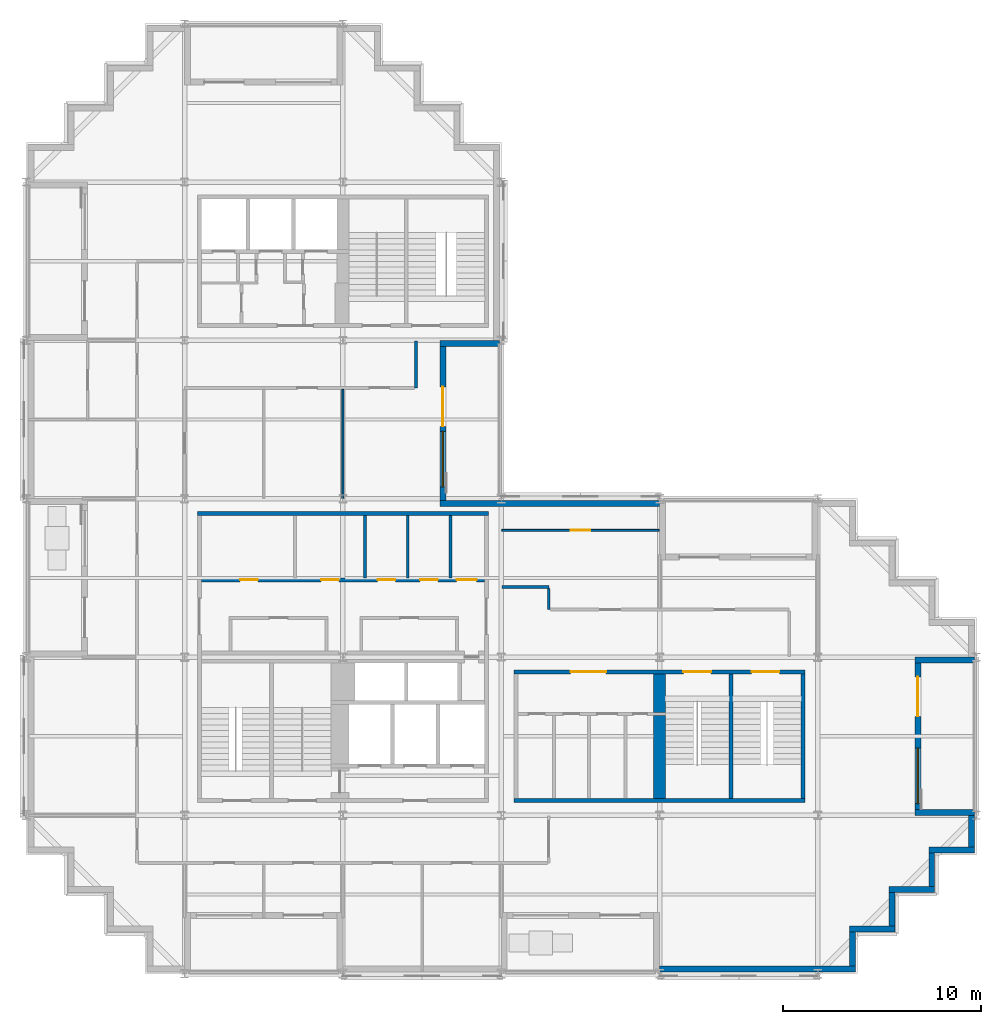
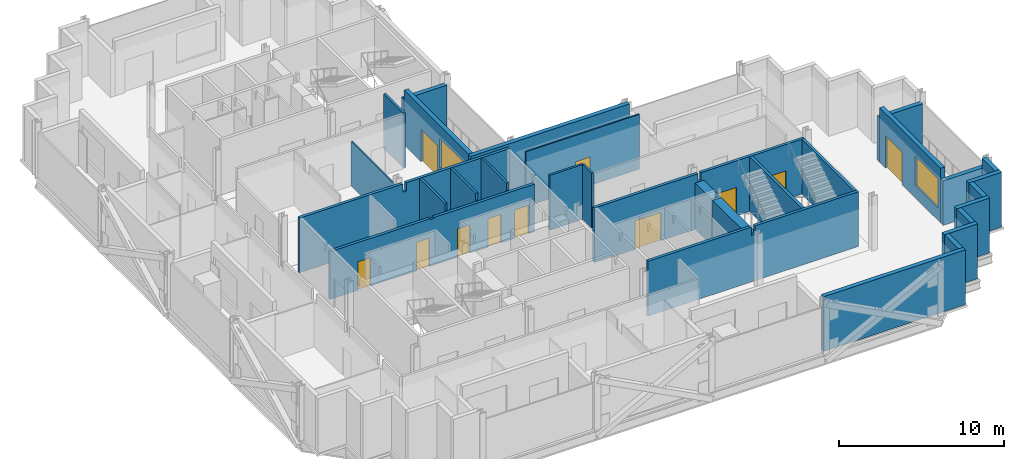
# One storey, part 7 of 13: 30 walls, 11 doors, 2 windows, 13 openings.
"""IFC4 building model written with IfcOpenShell, lengths in metres."""

from ifc_helpers import new_model, si_unit, direction, frame, frame_2d, origin, place, context, subcontext, project, spatial, polyline, rectangle, outline, extrude, material, layer, layer_set, type_object, element, fill, save


model = new_model("IFC4")

# Units and contexts
model_context = context("Model", 3, precision=1e-05, world=origin(), true_north=direction((0.0, 1.0)))
body_context = subcontext(model_context, "Body", "Model", "MODEL_VIEW")
ifc_project = project(units=[si_unit("LENGTHUNIT", "METRE"), si_unit("AREAUNIT", "SQUARE_METRE"), si_unit("VOLUMEUNIT", "CUBIC_METRE"), si_unit("PLANEANGLEUNIT", "RADIAN"), si_unit("MASSUNIT", "GRAM", prefix="KILO")], contexts=[model_context])

# Site, building, storey
site_placement = place(None, origin())
site = spatial("IfcSite", under=ifc_project, at=site_placement, CompositionType="ELEMENT")
building_placement = place(site_placement, origin())
building = spatial("IfcBuilding", under=site, at=building_placement, Name="Immortelle Media Tower", CompositionType="ELEMENT")
storey_placement = place(building_placement, frame((0.0, 0.0, 128.39990234375)))
storey = spatial("IfcBuildingStorey", under=building, at=storey_placement, Name="L25", CompositionType="ELEMENT", Elevation=128.39990234375)

# Walls
ifc_material_1 = material(Name="Fire-rated gypsum board", Category="gypsum")
ifc_layer_1 = layer(ifc_material_1, 0.02490234375)
ifc_material_2 = material(Name="Steel ASTM A653 SS Gr 50 stud frame with mineral wool", Category="steel")
ifc_layer_2 = layer(ifc_material_2, 0.10009765625)
ifc_layer_3 = layer(ifc_material_1, 0.02490234375)
ifc_layer_set_1 = layer_set([ifc_layer_1, ifc_layer_2, ifc_layer_3], Name="Steel ASTM A653 SS Gr 50 stud frame with mineral wool")
wall_type_1 = type_object("IfcWallType", Name="Core partition 150", PredefinedType="PARTITIONING", material=ifc_layer_set_1)
for number, where, z_axis, x_axis, name in (
    (1, (17.125, 20.0, 0.0), (0.0, 0.0, 1.0), (0.0, 1.0, 0.0), "Core partition SW"),
    (2, (19.27490234375, 20.0, 0.0), (0.0, 0.0, 1.0), (0.0, 1.0, 0.0), "Core partition SW"),
    (3, (21.425048828125, 20.0, 0.0), (0.0, 0.0, 1.0), (0.0, 1.0, 0.0), "Core partition SW"),
):
    element("IfcWall", number, at=place(storey_placement, frame(where, z_axis=z_axis, x_axis=x_axis)), inside=storey, type_object=wall_type_1, Name=name, PredefinedType="PARTITIONING", context=body_context, shape_type="SweptSolid", body=[
        extrude(outline(polyline([(0.0, 0.0), (3.14990234375, 0.0), (3.14990234375, 4.050048828125), (0.08740234375, 4.050048828125), (0.08642578125, 3.51806640625), (0.0, 3.51806640625), (0.0, 0.0)])), frame((0.0, 0.074951171875, 0.0), z_axis=(0.0, -1.0, 0.0), x_axis=(1.0, 0.0, 0.0)), (0.0, 0.0, 1.0), 0.14990234375),
    ])
ifc_layer_4 = layer(ifc_material_1, 0.03759765625)
ifc_layer_5 = layer(ifc_material_2, 0.125)
ifc_layer_6 = layer(ifc_material_1, 0.03759765625)
ifc_layer_set_2 = layer_set([ifc_layer_4, ifc_layer_5, ifc_layer_6], Name="Steel ASTM A653 SS Gr 50 stud frame with mineral wool")
wall_type_2 = type_object("IfcWallType", Name="Core shaft wall 200", PredefinedType="PARTITIONING", material=ifc_layer_set_2)
wall_1_placement = place(storey_placement, frame((8.64990234375, 23.25, 0.0), z_axis=(0.0, 0.0, 1.0), x_axis=(1.0, 0.0, 0.0)))
element("IfcWall", 4, at=wall_1_placement, inside=storey, type_object=wall_type_2, Name="Core shaft wall SW", PredefinedType="PARTITIONING", context=body_context, shape_type="SweptSolid", body=[
    extrude(outline(polyline([(0.0, 0.0), (14.7001953125, 0.0), (14.699951171875, 4.050048828125), (7.469482421875, 4.050048828125), (7.468505859375, 3.43212890625), (7.2314453125, 3.43212890625), (7.23046875, 4.050048828125), (0.0, 4.050048828125), (0.0, 0.0)])), frame((0.0, 0.10009765625, 0.0), z_axis=(0.0, -1.0, 0.0), x_axis=(1.0, 0.0, 0.0)), (0.0, 0.0, 1.0), 0.199951171875),
])

# Wall, openings, doors
wall_2_placement = place(storey_placement, frame((8.85009765625, 19.89990234375, 0.0), z_axis=(0.0, 0.0, 1.0), x_axis=(1.0, 0.0, 0.0)))
wall_2 = element("IfcWall", 5, at=wall_2_placement, inside=storey, type_object=wall_type_2, Name="Core shaft wall SW", PredefinedType="PARTITIONING", context=body_context, shape_type="SweptSolid", body=[
    extrude(outline(polyline([(0.0, 0.0), (14.2998046875, 0.0), (14.300048828125, 3.51806640625), (7.26953125, 3.51806640625), (7.2685546875, 3.43212890625), (7.031494140625, 3.43212890625), (7.030517578125, 3.51806640625), (0.0, 3.51806640625), (0.0, 0.0)])), frame((0.0, 0.10009765625, 0.0), z_axis=(0.0, -1.0, 0.0), x_axis=(1.0, 0.0, 0.0)), (0.0, 0.0, 1.0), 0.199951171875),
])
opening_1_placement = place(wall_2_placement, frame((1.949951171875, 0.0, 0.0)))
opening_1 = element("IfcOpeningElement", 6, at=opening_1_placement, cuts=wall_2, Name="Opening C1-K003", PredefinedType="OPENING", context=body_context, shape_type="SweptSolid", body=[
    extrude(rectangle(XDim=0.89990234375, YDim=2.10009765625, at=frame_2d((0.449951171875, 1.050048828125))), frame((0.0, 0.10986328125, 0.0), z_axis=(0.0, -1.0, 0.0), x_axis=(1.0, 0.0, 0.0)), (0.0, 0.0, 1.0), 0.219970703125),
])
opening_2_placement = place(wall_2_placement, frame((6.050048828125, 0.0, 0.0)))
opening_2 = element("IfcOpeningElement", 7, at=opening_2_placement, cuts=wall_2, Name="Opening C1-K006", PredefinedType="OPENING", context=body_context, shape_type="SweptSolid", body=[
    extrude(rectangle(XDim=0.89990234375, YDim=2.10009765625, at=frame_2d((0.449951171875, 1.050048828125))), frame((0.0, 0.10986328125, 0.0), z_axis=(0.0, -1.0, 0.0), x_axis=(1.0, 0.0, 0.0)), (0.0, 0.0, 1.0), 0.219970703125),
])
opening_3_placement = place(wall_2_placement, frame((8.89990234375, 0.0, 0.0)))
opening_3 = element("IfcOpeningElement", 8, at=opening_3_placement, cuts=wall_2, Name="Opening C1-K009", PredefinedType="OPENING", context=body_context, shape_type="SweptSolid", body=[
    extrude(rectangle(XDim=0.89990234375, YDim=2.10009765625, at=frame_2d((0.449951171875, 1.050048828125))), frame((0.0, 0.10986328125, 0.0), z_axis=(0.0, -1.0, 0.0), x_axis=(1.0, 0.0, 0.0)), (0.0, 0.0, 1.0), 0.219970703125),
])
opening_4_placement = place(wall_2_placement, frame((11.050048828125, 0.0, 0.0)))
opening_4 = element("IfcOpeningElement", 9, at=opening_4_placement, cuts=wall_2, Name="Opening C1-K013", PredefinedType="OPENING", context=body_context, shape_type="SweptSolid", body=[
    extrude(rectangle(XDim=0.89990234375, YDim=2.10009765625, at=frame_2d((0.449951171875, 1.050048828125))), frame((0.0, 0.10986328125, 0.0), z_axis=(0.0, -1.0, 0.0), x_axis=(1.0, 0.0, 0.0)), (0.0, 0.0, 1.0), 0.219970703125),
])
opening_5_placement = place(wall_2_placement, frame((12.89990234375, 0.0, 0.0)))
opening_5 = element("IfcOpeningElement", 10, at=opening_5_placement, cuts=wall_2, Name="Opening C1-K015", PredefinedType="OPENING", context=body_context, shape_type="SweptSolid", body=[
    extrude(rectangle(XDim=1.0, YDim=2.10009765625, at=frame_2d((0.5, 1.050048828125))), frame((0.0, 0.10986328125, 0.0), z_axis=(0.0, -1.0, 0.0), x_axis=(1.0, 0.0, 0.0)), (0.0, 0.0, 1.0), 0.219970703125),
])
ifc_material_3 = material(Name="Timber", Category="wood")
door_type_1 = type_object("IfcDoorType", Name="Accessible toilet door 1000 x 2100", OperationType="NOTDEFINED", PredefinedType="NOTDEFINED", material=ifc_material_3)
door_1_placement = place(opening_5_placement, origin())
door_1 = element("IfcDoor", 11, at=door_1_placement, inside=storey, type_object=door_type_1, Name="Accessible toilet C1-K015", OperationType="SINGLE_SWING_RIGHT", OverallHeight=2.10009765625, OverallWidth=1.0, PredefinedType="NOTDEFINED", context=body_context, shape_type="SweptSolid", body=[
    extrude(rectangle(XDim=1.0, YDim=2.10009765625, at=frame_2d((0.5, 1.050048828125))), frame((0.0, 0.02490234375, 0.0), z_axis=(0.0, -1.0, 0.0), x_axis=(1.0, 0.0, 0.0)), (0.0, 0.0, 1.0), 0.050048828125),
])
fill(opening_5, door_1)
door_type_2 = type_object("IfcDoorType", Name="Room door 900 x 2100", OperationType="NOTDEFINED", PredefinedType="NOTDEFINED", material=ifc_material_3)
door_2_placement = place(opening_1_placement, origin())
door_2 = element("IfcDoor", 12, at=door_2_placement, inside=storey, type_object=door_type_2, Name="Room C1-K003", OperationType="SINGLE_SWING_LEFT", OverallHeight=2.10009765625, OverallWidth=0.89990234375, PredefinedType="NOTDEFINED", context=body_context, shape_type="SweptSolid", body=[
    extrude(rectangle(XDim=0.89990234375, YDim=2.10009765625, at=frame_2d((0.449951171875, 1.050048828125))), frame((0.0, 0.02490234375, 0.0), z_axis=(0.0, -1.0, 0.0), x_axis=(1.0, 0.0, 0.0)), (0.0, 0.0, 1.0), 0.050048828125),
])
fill(opening_1, door_2)
door_3_placement = place(opening_2_placement, origin())
door_3 = element("IfcDoor", 13, at=door_3_placement, inside=storey, type_object=door_type_2, Name="Room C1-K006", OperationType="SINGLE_SWING_LEFT", OverallHeight=2.10009765625, OverallWidth=0.89990234375, PredefinedType="NOTDEFINED", context=body_context, shape_type="SweptSolid", body=[
    extrude(rectangle(XDim=0.89990234375, YDim=2.10009765625, at=frame_2d((0.449951171875, 1.050048828125))), frame((0.0, 0.02490234375, 0.0), z_axis=(0.0, -1.0, 0.0), x_axis=(1.0, 0.0, 0.0)), (0.0, 0.0, 1.0), 0.050048828125),
])
fill(opening_2, door_3)
door_type_3 = type_object("IfcDoorType", Name="Toilet door 900 x 2100", OperationType="NOTDEFINED", PredefinedType="NOTDEFINED", material=ifc_material_3)
door_4_placement = place(opening_3_placement, origin())
door_4 = element("IfcDoor", 14, at=door_4_placement, inside=storey, type_object=door_type_3, Name="Toilet C1-K009", OperationType="SINGLE_SWING_LEFT", OverallHeight=2.10009765625, OverallWidth=0.89990234375, PredefinedType="NOTDEFINED", context=body_context, shape_type="SweptSolid", body=[
    extrude(rectangle(XDim=0.89990234375, YDim=2.10009765625, at=frame_2d((0.449951171875, 1.050048828125))), frame((0.0, 0.02490234375, 0.0), z_axis=(0.0, -1.0, 0.0), x_axis=(1.0, 0.0, 0.0)), (0.0, 0.0, 1.0), 0.050048828125),
])
fill(opening_3, door_4)
door_5_placement = place(opening_4_placement, origin())
door_5 = element("IfcDoor", 15, at=door_5_placement, inside=storey, type_object=door_type_3, Name="Toilet C1-K013", OperationType="SINGLE_SWING_RIGHT", OverallHeight=2.10009765625, OverallWidth=0.89990234375, PredefinedType="NOTDEFINED", context=body_context, shape_type="SweptSolid", body=[
    extrude(rectangle(XDim=0.89990234375, YDim=2.10009765625, at=frame_2d((0.449951171875, 1.050048828125))), frame((0.0, 0.02490234375, 0.0), z_axis=(0.0, -1.0, 0.0), x_axis=(1.0, 0.0, 0.0)), (0.0, 0.0, 1.0), 0.050048828125),
])
fill(opening_4, door_5)

# Walls
ifc_layer_7 = layer(ifc_material_1, 0.012451171875)
ifc_layer_8 = layer(ifc_material_2, 0.125)
ifc_layer_9 = layer(ifc_material_1, 0.012451171875)
ifc_layer_set_3 = layer_set([ifc_layer_7, ifc_layer_8, ifc_layer_9], Name="Steel ASTM A653 SS Gr 50 stud frame with mineral wool")
wall_type_3 = type_object("IfcWallType", Name="Corridor wall 150", PredefinedType="PARTITIONING", material=ifc_layer_set_3)
wall_3_placement = place(storey_placement, frame((26.39990234375, 18.39990234375, 0.0), z_axis=(0.0, 0.0, 1.0), x_axis=(0.0, 1.0, 0.0)))
element("IfcWall", 16, at=wall_3_placement, inside=storey, type_object=wall_type_3, Name="Partition L25-014", PredefinedType="PARTITIONING", context=body_context, shape_type="SweptSolid", body=[
    extrude(rectangle(XDim=1.0751953125, YDim=0.14990234375, at=frame_2d((0.53759765625, 0.0))), origin(), (0.0, 0.0, 1.0), 4.050048828125),
])
for number, where, z_axis, x_axis, name in (
    (17, (24.030029296875, 19.550048828125, 0.0), (0.0, 0.0, 1.0), (1.0, 0.0, 0.0), "Partition L25-016"),
    (18, (19.699951171875, 29.60009765625, 0.0), (0.0, 0.0, 1.0), (0.0, 1.0, 0.0), "Partition L25-026"),
):
    element("IfcWall", number, at=place(storey_placement, frame(where, z_axis=z_axis, x_axis=x_axis)), inside=storey, type_object=wall_type_3, Name=name, PredefinedType="PARTITIONING", context=body_context, shape_type="SweptSolid", body=[
        extrude(rectangle(XDim=2.369873046875, YDim=0.14990234375, at=frame_2d((1.18505859375, 0.0))), origin(), (0.0, 0.0, 1.0), 4.050048828125),
    ])
ifc_material_4 = material(Name="Pale aluminium cladding panel", Category="aluminium")
ifc_layer_10 = layer(ifc_material_4, 0.030029296875)
ifc_layer_11 = layer(ifc_material_2, 0.257568359375)
ifc_material_5 = material(Name="Moisture-resistant gypsum board", Category="gypsum")
ifc_layer_12 = layer(ifc_material_5, 0.012451171875)
ifc_layer_set_4 = layer_set([ifc_layer_10, ifc_layer_11, ifc_layer_12], Name="Steel ASTM A653 SS Gr 50 stud frame with mineral wool")
wall_type_4 = type_object("IfcWallType", Name="Facade wall 300", PredefinedType="SOLIDWALL", material=ifc_layer_set_4)
wall_4_placement = place(storey_placement, frame((32.0, 0.25, 0.0), z_axis=(0.0, 0.0, 1.0), x_axis=(1.0, 0.0, 0.0)))
element("IfcWall", 19, at=wall_4_placement, inside=storey, type_object=wall_type_4, Name="Facade wall L25 S6", PredefinedType="SOLIDWALL", context=body_context, shape_type="SweptSolid", body=[
    extrude(rectangle(XDim=9.89990234375, YDim=0.300048828125, at=frame_2d((4.949951171875, 0.0))), origin(), (0.0, 0.0, 1.0), 4.050048828125),
])
wall_5_placement = place(storey_placement, frame((41.75, 0.39990234375, 0.0), z_axis=(0.0, 0.0, 1.0), x_axis=(0.0, 1.0, 0.0)))
element("IfcWall", 20, at=wall_5_placement, inside=storey, type_object=wall_type_4, Name="Facade wall L25 E7", PredefinedType="SOLIDWALL", context=body_context, shape_type="SweptSolid", body=[
    extrude(rectangle(XDim=1.7001953125, YDim=0.300048828125, at=frame_2d((0.85009765625, 0.0))), origin(), (0.0, 0.0, 1.0), 4.050048828125),
])
wall_6_placement = place(storey_placement, frame((41.60009765625, 2.25, 0.0), z_axis=(0.0, 0.0, 1.0), x_axis=(1.0, 0.0, 0.0)))
element("IfcWall", 21, at=wall_6_placement, inside=storey, type_object=wall_type_4, Name="Facade wall L25 S8", PredefinedType="SOLIDWALL", context=body_context, shape_type="SweptSolid", body=[
    extrude(rectangle(XDim=2.2998046875, YDim=0.300048828125, at=frame_2d((1.14990234375, 0.0))), origin(), (0.0, 0.0, 1.0), 4.050048828125),
])
wall_7_placement = place(storey_placement, frame((43.75, 2.39990234375, 0.0), z_axis=(0.0, 0.0, 1.0), x_axis=(0.0, 1.0, 0.0)))
element("IfcWall", 22, at=wall_7_placement, inside=storey, type_object=wall_type_4, Name="Facade wall L25 E9", PredefinedType="SOLIDWALL", context=body_context, shape_type="SweptSolid", body=[
    extrude(rectangle(XDim=1.7001953125, YDim=0.300048828125, at=frame_2d((0.85009765625, 0.0))), origin(), (0.0, 0.0, 1.0), 4.050048828125),
])
wall_8_placement = place(storey_placement, frame((43.60009765625, 4.25, 0.0), z_axis=(0.0, 0.0, 1.0), x_axis=(1.0, 0.0, 0.0)))
element("IfcWall", 23, at=wall_8_placement, inside=storey, type_object=wall_type_4, Name="Facade wall L25 S10", PredefinedType="SOLIDWALL", context=body_context, shape_type="SweptSolid", body=[
    extrude(rectangle(XDim=2.2998046875, YDim=0.300048828125, at=frame_2d((1.14990234375, 0.0))), origin(), (0.0, 0.0, 1.0), 4.050048828125),
])
wall_9_placement = place(storey_placement, frame((45.75, 4.39990234375, 0.0), z_axis=(0.0, 0.0, 1.0), x_axis=(0.0, 1.0, 0.0)))
element("IfcWall", 24, at=wall_9_placement, inside=storey, type_object=wall_type_4, Name="Facade wall L25 E11", PredefinedType="SOLIDWALL", context=body_context, shape_type="SweptSolid", body=[
    extrude(rectangle(XDim=1.7001953125, YDim=0.300048828125, at=frame_2d((0.85009765625, 0.0))), origin(), (0.0, 0.0, 1.0), 4.050048828125),
])
wall_10_placement = place(storey_placement, frame((45.60009765625, 6.25, 0.0), z_axis=(0.0, 0.0, 1.0), x_axis=(1.0, 0.0, 0.0)))
element("IfcWall", 25, at=wall_10_placement, inside=storey, type_object=wall_type_4, Name="Facade wall L25 S12", PredefinedType="SOLIDWALL", context=body_context, shape_type="SweptSolid", body=[
    extrude(rectangle(XDim=2.2998046875, YDim=0.300048828125, at=frame_2d((1.14990234375, 0.0))), origin(), (0.0, 0.0, 1.0), 4.050048828125),
])
wall_11_placement = place(storey_placement, frame((47.75, 6.39990234375, 0.0), z_axis=(0.0, 0.0, 1.0), x_axis=(0.0, 1.0, 0.0)))
element("IfcWall", 26, at=wall_11_placement, inside=storey, type_object=wall_type_4, Name="Facade wall L25 E13", PredefinedType="SOLIDWALL", context=body_context, shape_type="SweptSolid", body=[
    extrude(rectangle(XDim=1.60009765625, YDim=0.300048828125, at=frame_2d((0.800048828125, 0.0))), origin(), (0.0, 0.0, 1.0), 4.050048828125),
])

# Wall, openings, door, window
wall_12_placement = place(storey_placement, frame((45.050048828125, 8.300048828125, 0.0), z_axis=(0.0, 0.0, 1.0), x_axis=(0.0, 1.0, 0.0)))
wall_12 = element("IfcWall", 27, at=wall_12_placement, inside=storey, type_object=wall_type_4, Name="Loggia wall L25 E13", PredefinedType="SOLIDWALL", context=body_context, shape_type="SweptSolid", body=[
    extrude(rectangle(XDim=7.39990234375, YDim=0.300048828125, at=frame_2d((3.699951171875, 0.0))), origin(), (0.0, 0.0, 1.0), 4.050048828125),
])
opening_6_placement = place(wall_12_placement, frame((0.300048828125, 0.0, 0.89990234375)))
opening_6 = element("IfcOpeningElement", 28, at=opening_6_placement, cuts=wall_12, Name="Opening W1", PredefinedType="OPENING", context=body_context, shape_type="SweptSolid", body=[
    extrude(rectangle(XDim=2.800048828125, YDim=2.199951171875, at=frame_2d((1.39990234375, 1.10009765625))), frame((0.0, 0.159912109375, 0.0), z_axis=(0.0, -1.0, 0.0), x_axis=(1.0, 0.0, 0.0)), (0.0, 0.0, 1.0), 0.320068359375),
])
opening_7_placement = place(wall_12_placement, frame((4.699951171875, 0.0, 0.0)))
opening_7 = element("IfcOpeningElement", 29, at=opening_7_placement, cuts=wall_12, Name="Opening C1-E003", PredefinedType="OPENING", context=body_context, shape_type="SweptSolid", body=[
    extrude(rectangle(XDim=2.0, YDim=2.39990234375, at=frame_2d((1.0, 1.199951171875))), frame((0.0, 0.159912109375, 0.0), z_axis=(0.0, -1.0, 0.0), x_axis=(1.0, 0.0, 0.0)), (0.0, 0.0, 1.0), 0.320068359375),
])
ifc_material_6 = material(Name="Aluminium frame, glazed leaves", Category="aluminium")
door_type_4 = type_object("IfcDoorType", Name="Loggia door 2000 x 2400", OperationType="DOUBLE_DOOR_SINGLE_SWING", PredefinedType="DOOR", material=ifc_material_6)
door_6_placement = place(opening_7_placement, origin())
door_6 = element("IfcDoor", 30, at=door_6_placement, inside=storey, type_object=door_type_4, Name="Door C1-E003", OperationType="DOUBLE_DOOR_SINGLE_SWING", OverallHeight=2.39990234375, OverallWidth=2.0, PredefinedType="DOOR", context=body_context, shape_type="SweptSolid", body=[
    extrude(rectangle(XDim=2.0, YDim=2.39990234375, at=frame_2d((1.0, 1.199951171875))), frame((0.0, 0.02490234375, 0.0), z_axis=(0.0, -1.0, 0.0), x_axis=(1.0, 0.0, 0.0)), (0.0, 0.0, 1.0), 0.050048828125),
])
fill(opening_7, door_6)
ifc_material_7 = material(Name="Aluminium frame", Category="aluminium")
window_type = type_object("IfcWindowType", Name="Window 2800 x 2200", PartitioningType="SINGLE_PANEL", PredefinedType="WINDOW", material=ifc_material_7)
window_1_placement = place(opening_6_placement, origin())
window_1 = element("IfcWindow", 31, at=window_1_placement, inside=storey, type_object=window_type, Name="Window L25 L25-R13-B0", OverallHeight=2.199951171875, OverallWidth=2.800048828125, PartitioningType="SINGLE_PANEL", PredefinedType="WINDOW", context=body_context, shape_type="SweptSolid", body=[
    extrude(rectangle(XDim=2.800048828125, YDim=2.199951171875, at=frame_2d((1.39990234375, 1.10009765625))), frame((0.0, 0.030029296875, 0.0), z_axis=(0.0, -1.0, 0.0), x_axis=(1.0, 0.0, 0.0)), (0.0, 0.0, 1.0), 0.06005859375),
])
fill(opening_6, window_1)

# Walls
for number, where, z_axis, x_axis, name in (
    (32, (47.89990234375, 8.14990234375, 0.0), (0.0, 0.0, 1.0), (-1.0, 0.0, 0.0), "Loggia cheek wall L25 E"),
    (33, (47.89990234375, 15.85009765625, 0.0), (0.0, 0.0, 1.0), (-1.0, 0.0, 0.0), "Loggia cheek wall L25 E"),
):
    element("IfcWall", number, at=place(storey_placement, frame(where, z_axis=z_axis, x_axis=x_axis)), inside=storey, type_object=wall_type_4, Name=name, PredefinedType="SOLIDWALL", context=body_context, shape_type="SweptSolid", body=[
        extrude(rectangle(XDim=3.0, YDim=0.300048828125, at=frame_2d((1.5, 0.0))), origin(), (0.0, 0.0, 1.0), 3.287109375),
    ])
wall_13_placement = place(storey_placement, frame((32.0, 23.75, 0.0), z_axis=(0.0, 0.0, 1.0), x_axis=(-1.0, 0.0, 0.0)))
element("IfcWall", 34, at=wall_13_placement, inside=storey, type_object=wall_type_4, Name="Facade wall L25 N20", PredefinedType="SOLIDWALL", context=body_context, shape_type="SweptSolid", body=[
    extrude(rectangle(XDim=11.10009765625, YDim=0.300048828125, at=frame_2d((5.550048828125, 0.0))), origin(), (0.0, 0.0, 1.0), 4.050048828125),
])

# Wall, openings, door, window
wall_14_placement = place(storey_placement, frame((21.050048828125, 23.89990234375, 0.0), z_axis=(0.0, 0.0, 1.0), x_axis=(0.0, 1.0, 0.0)))
wall_14 = element("IfcWall", 35, at=wall_14_placement, inside=storey, type_object=wall_type_4, Name="Loggia wall L25 E21", PredefinedType="SOLIDWALL", context=body_context, shape_type="SweptSolid", body=[
    extrude(rectangle(XDim=7.800048828125, YDim=0.300048828125, at=frame_2d((3.89990234375, 0.0))), origin(), (0.0, 0.0, 1.0), 4.050048828125),
])
opening_8_placement = place(wall_14_placement, frame((0.699951171875, 0.0, 0.89990234375)))
opening_8 = element("IfcOpeningElement", 36, at=opening_8_placement, cuts=wall_14, Name="Opening W1", PredefinedType="OPENING", context=body_context, shape_type="SweptSolid", body=[
    extrude(rectangle(XDim=2.800048828125, YDim=2.199951171875, at=frame_2d((1.39990234375, 1.10009765625))), frame((0.0, 0.159912109375, 0.0), z_axis=(0.0, -1.0, 0.0), x_axis=(1.0, 0.0, 0.0)), (0.0, 0.0, 1.0), 0.320068359375),
])
opening_9_placement = place(wall_14_placement, frame((3.75, 0.0, 0.0)))
opening_9 = element("IfcOpeningElement", 37, at=opening_9_placement, cuts=wall_14, Name="Opening C1-E005", PredefinedType="OPENING", context=body_context, shape_type="SweptSolid", body=[
    extrude(rectangle(XDim=2.0, YDim=2.39990234375, at=frame_2d((1.0, 1.199951171875))), frame((0.0, 0.159912109375, 0.0), z_axis=(0.0, -1.0, 0.0), x_axis=(1.0, 0.0, 0.0)), (0.0, 0.0, 1.0), 0.320068359375),
])
door_7_placement = place(opening_9_placement, origin())
door_7 = element("IfcDoor", 38, at=door_7_placement, inside=storey, type_object=door_type_4, Name="Door C1-E005", OperationType="DOUBLE_DOOR_SINGLE_SWING", OverallHeight=2.39990234375, OverallWidth=2.0, PredefinedType="DOOR", context=body_context, shape_type="SweptSolid", body=[
    extrude(rectangle(XDim=2.0, YDim=2.39990234375, at=frame_2d((1.0, 1.199951171875))), frame((0.0, 0.02490234375, 0.0), z_axis=(0.0, -1.0, 0.0), x_axis=(1.0, 0.0, 0.0)), (0.0, 0.0, 1.0), 0.050048828125),
])
fill(opening_9, door_7)
window_2_placement = place(opening_8_placement, origin())
window_2 = element("IfcWindow", 39, at=window_2_placement, inside=storey, type_object=window_type, Name="Window L25 L25-R21-B0", OverallHeight=2.199951171875, OverallWidth=2.800048828125, PartitioningType="SINGLE_PANEL", PredefinedType="WINDOW", context=body_context, shape_type="SweptSolid", body=[
    extrude(rectangle(XDim=2.800048828125, YDim=2.199951171875, at=frame_2d((1.39990234375, 1.10009765625))), frame((0.0, 0.030029296875, 0.0), z_axis=(0.0, -1.0, 0.0), x_axis=(1.0, 0.0, 0.0)), (0.0, 0.0, 1.0), 0.06005859375),
])
fill(opening_8, window_2)

# Wall
wall_15_placement = place(storey_placement, frame((23.89990234375, 31.85009765625, 0.0), z_axis=(0.0, 0.0, 1.0), x_axis=(-1.0, 0.0, 0.0)))
element("IfcWall", 40, at=wall_15_placement, inside=storey, type_object=wall_type_4, Name="Loggia cheek wall L25 E", PredefinedType="SOLIDWALL", context=body_context, shape_type="SweptSolid", body=[
    extrude(rectangle(XDim=3.0, YDim=0.300048828125, at=frame_2d((1.5, 0.0))), origin(), (0.0, 0.0, 1.0), 3.356201171875),
])

# Wall, opening, door
ifc_material_8 = material(Name="Gypsum board", Category="gypsum")
ifc_layer_13 = layer(ifc_material_8, 0.012451171875)
ifc_layer_14 = layer(ifc_material_2, 0.074951171875)
ifc_layer_15 = layer(ifc_material_8, 0.012451171875)
ifc_layer_set_5 = layer_set([ifc_layer_13, ifc_layer_14, ifc_layer_15], Name="Steel ASTM A653 SS Gr 50 stud frame with mineral wool")
wall_type_5 = type_object("IfcWallType", Name="Partition 100", PredefinedType="PARTITIONING", material=ifc_layer_set_5)
wall_16_placement = place(storey_placement, frame((24.030029296875, 22.39990234375, 0.0), z_axis=(0.0, 0.0, 1.0), x_axis=(1.0, 0.0, 0.0)))
wall_16 = element("IfcWall", 41, at=wall_16_placement, inside=storey, type_object=wall_type_5, Name="Partition L25-017", PredefinedType="PARTITIONING", context=body_context, shape_type="SweptSolid", body=[
    extrude(rectangle(XDim=7.93994140625, YDim=0.10009765625, at=frame_2d((3.969970703125, 0.0))), origin(), (0.0, 0.0, 1.0), 4.050048828125),
])
opening_10_placement = place(wall_16_placement, frame((4.469970703125, 0.0, 0.0), z_axis=(0.0, 0.0, 1.0), x_axis=(-1.0, 0.0, 0.0)))
opening_10 = element("IfcOpeningElement", 42, at=opening_10_placement, cuts=wall_16, Name="Opening C1-F011", PredefinedType="OPENING", context=body_context, shape_type="SweptSolid", body=[
    extrude(rectangle(XDim=1.0, YDim=2.10009765625, at=frame_2d((0.5, 1.050048828125))), frame((0.0, 0.06005859375, 0.0), z_axis=(0.0, -1.0, 0.0), x_axis=(1.0, 0.0, 0.0)), (0.0, 0.0, 1.0), 0.1201171875),
])
ifc_material_9 = material(Name="Timber veneered door leaf, galvanised steel frame ASTM A653", Category="steel")
door_type_5 = type_object("IfcDoorType", Name="Room door 1000 x 2100", OperationType="NOTDEFINED", PredefinedType="DOOR", material=ifc_material_9)
door_8_placement = place(opening_10_placement, origin())
door_8 = element("IfcDoor", 43, at=door_8_placement, inside=storey, type_object=door_type_5, Name="Door C1-F011", OperationType="SINGLE_SWING_LEFT", OverallHeight=2.10009765625, OverallWidth=1.0, PredefinedType="DOOR", context=body_context, shape_type="SweptSolid", body=[
    extrude(rectangle(XDim=1.0, YDim=2.10009765625, at=frame_2d((0.5, 1.050048828125))), frame((0.0, 0.02490234375, 0.0), z_axis=(0.0, -1.0, 0.0), x_axis=(1.0, 0.0, 0.0)), (0.0, 0.0, 1.0), 0.050048828125),
])
fill(opening_10, door_8)

# Walls
wall_17_placement = place(storey_placement, frame((16.0, 24.030029296875, 0.0), z_axis=(0.0, 0.0, 1.0), x_axis=(0.0, 1.0, 0.0)))
element("IfcWall", 44, at=wall_17_placement, inside=storey, type_object=wall_type_5, Name="Partition L25-021", PredefinedType="PARTITIONING", context=body_context, shape_type="SweptSolid", body=[
    extrude(rectangle(XDim=5.494873046875, YDim=0.10009765625, at=frame_2d((2.74755859375, 0.0))), origin(), (0.0, 0.0, 1.0), 3.2880859375),
])
ifc_material_10 = material(Name="Concrete C60", Category="concrete")
ifc_layer_16 = layer(ifc_material_10, 0.199951171875)
ifc_layer_set_6 = layer_set([ifc_layer_16], Name="Concrete C60")
wall_type_6 = type_object("IfcWallType", Name="Stair shaft wall 200", PredefinedType="PARTITIONING", material=ifc_layer_set_6)
wall_18_placement = place(storey_placement, frame((24.64990234375, 8.75, 0.0), z_axis=(0.0, 0.0, 1.0), x_axis=(1.0, 0.0, 0.0)))
element("IfcWall", 45, at=wall_18_placement, inside=storey, type_object=wall_type_6, Name="Stair shaft wall SE", PredefinedType="PARTITIONING", context=body_context, shape_type="SweptSolid", body=[
    extrude(outline(polyline([(0.0, 0.0), (14.7001953125, 0.0), (14.699951171875, 4.050048828125), (7.469482421875, 4.050048828125), (7.468505859375, 3.43212890625), (7.2314453125, 3.43212890625), (7.23046875, 4.050048828125), (0.0, 4.050048828125), (0.0, 0.0)])), frame((0.0, 0.10009765625, 0.0), z_axis=(0.0, -1.0, 0.0), x_axis=(1.0, 0.0, 0.0)), (0.0, 0.0, 1.0), 0.199951171875),
])

# Wall, openings, doors
wall_19_placement = place(storey_placement, frame((24.64990234375, 15.25, 0.0), z_axis=(0.0, 0.0, 1.0), x_axis=(1.0, 0.0, 0.0)))
wall_19 = element("IfcWall", 46, at=wall_19_placement, inside=storey, type_object=wall_type_6, Name="Stair shaft wall SE", PredefinedType="PARTITIONING", context=body_context, shape_type="SweptSolid", body=[
    extrude(outline(polyline([(0.0, 0.0), (14.7001953125, 0.0), (14.699951171875, 4.050048828125), (7.469482421875, 4.050048828125), (7.468505859375, 3.43212890625), (7.2314453125, 3.43212890625), (7.23046875, 4.050048828125), (0.0, 4.050048828125), (0.0, 0.0)])), frame((0.0, 0.10009765625, 0.0), z_axis=(0.0, -1.0, 0.0), x_axis=(1.0, 0.0, 0.0)), (0.0, 0.0, 1.0), 0.199951171875),
])
opening_11_placement = place(wall_19_placement, frame((2.85009765625, 0.0, 0.0)))
opening_11 = element("IfcOpeningElement", 47, at=opening_11_placement, cuts=wall_19, Name="Opening C1-K020", PredefinedType="OPENING", context=body_context, shape_type="SweptSolid", body=[
    extrude(rectangle(XDim=1.800048828125, YDim=2.10009765625, at=frame_2d((0.89990234375, 1.050048828125))), frame((0.0, 0.10986328125, 0.0), z_axis=(0.0, -1.0, 0.0), x_axis=(1.0, 0.0, 0.0)), (0.0, 0.0, 1.0), 0.219970703125),
])
opening_12_placement = place(wall_19_placement, frame((9.949951171875, 0.0, 0.0), z_axis=(0.0, 0.0, 1.0), x_axis=(-1.0, 0.0, 0.0)))
opening_12 = element("IfcOpeningElement", 48, at=opening_12_placement, cuts=wall_19, Name="Opening C1-K023", PredefinedType="OPENING", context=body_context, shape_type="SweptSolid", body=[
    extrude(rectangle(XDim=1.39990234375, YDim=2.10009765625, at=frame_2d((0.699951171875, 1.050048828125))), frame((0.0, 0.10986328125, 0.0), z_axis=(0.0, -1.0, 0.0), x_axis=(1.0, 0.0, 0.0)), (0.0, 0.0, 1.0), 0.219970703125),
])
opening_13_placement = place(wall_19_placement, frame((13.39990234375, 0.0, 0.0), z_axis=(0.0, 0.0, 1.0), x_axis=(-1.0, 0.0, 0.0)))
opening_13 = element("IfcOpeningElement", 49, at=opening_13_placement, cuts=wall_19, Name="Opening C1-K024", PredefinedType="OPENING", context=body_context, shape_type="SweptSolid", body=[
    extrude(rectangle(XDim=1.39990234375, YDim=2.10009765625, at=frame_2d((0.699951171875, 1.050048828125))), frame((0.0, 0.10986328125, 0.0), z_axis=(0.0, -1.0, 0.0), x_axis=(1.0, 0.0, 0.0)), (0.0, 0.0, 1.0), 0.219970703125),
])
ifc_material_11 = material(Name="Galvanised steel door leaf and frame ASTM A653", Category="steel")
door_type_6 = type_object("IfcDoorType", Name="Lift lobby door 1800 x 2100", OperationType="DOUBLE_DOOR_SINGLE_SWING", PredefinedType="NOTDEFINED", material=ifc_material_11)
door_9_placement = place(opening_11_placement, origin())
door_9 = element("IfcDoor", 50, at=door_9_placement, inside=storey, type_object=door_type_6, Name="Lift lobby C1-K020", OperationType="DOUBLE_DOOR_SINGLE_SWING", OverallHeight=2.10009765625, OverallWidth=1.800048828125, PredefinedType="NOTDEFINED", context=body_context, shape_type="SweptSolid", body=[
    extrude(rectangle(XDim=1.800048828125, YDim=2.10009765625, at=frame_2d((0.89990234375, 1.050048828125))), frame((0.0, 0.02490234375, 0.0), z_axis=(0.0, -1.0, 0.0), x_axis=(1.0, 0.0, 0.0)), (0.0, 0.0, 1.0), 0.050048828125),
])
fill(opening_11, door_9)
door_type_7 = type_object("IfcDoorType", Name="Stair door 1400 x 2100", OperationType="DOUBLE_DOOR_SINGLE_SWING", PredefinedType="NOTDEFINED", material=ifc_material_11)
door_10_placement = place(opening_12_placement, origin())
door_10 = element("IfcDoor", 51, at=door_10_placement, inside=storey, type_object=door_type_7, Name="Stair C1-K023", OperationType="DOUBLE_DOOR_SINGLE_SWING", OverallHeight=2.10009765625, OverallWidth=1.39990234375, PredefinedType="NOTDEFINED", context=body_context, shape_type="SweptSolid", body=[
    extrude(rectangle(XDim=1.39990234375, YDim=2.10009765625, at=frame_2d((0.699951171875, 1.050048828125))), frame((0.0, 0.02490234375, 0.0), z_axis=(0.0, -1.0, 0.0), x_axis=(1.0, 0.0, 0.0)), (0.0, 0.0, 1.0), 0.050048828125),
])
fill(opening_12, door_10)
door_11_placement = place(opening_13_placement, origin())
door_11 = element("IfcDoor", 52, at=door_11_placement, inside=storey, type_object=door_type_7, Name="Stair C1-K024", OperationType="DOUBLE_DOOR_SINGLE_SWING", OverallHeight=2.10009765625, OverallWidth=1.39990234375, PredefinedType="NOTDEFINED", context=body_context, shape_type="SweptSolid", body=[
    extrude(rectangle(XDim=1.39990234375, YDim=2.10009765625, at=frame_2d((0.699951171875, 1.050048828125))), frame((0.0, 0.02490234375, 0.0), z_axis=(0.0, -1.0, 0.0), x_axis=(1.0, 0.0, 0.0)), (0.0, 0.0, 1.0), 0.050048828125),
])
fill(opening_13, door_11)

# Walls
for number, where, z_axis, x_axis, name in (
    (53, (35.60009765625, 8.85009765625, 0.0), (0.0, 0.0, 1.0), (0.0, 1.0, 0.0), "Stair shaft wall SE"),
    (54, (39.25, 8.85009765625, 0.0), (0.0, 0.0, 1.0), (0.0, 1.0, 0.0), "Stair shaft wall SE"),
):
    element("IfcWall", number, at=place(storey_placement, frame(where, z_axis=z_axis, x_axis=x_axis)), inside=storey, type_object=wall_type_6, Name=name, PredefinedType="PARTITIONING", context=body_context, shape_type="SweptSolid", body=[
        extrude(rectangle(XDim=6.2998046875, YDim=0.199951171875, at=frame_2d((3.14990234375, 0.0))), origin(), (0.0, 0.0, 1.0), 4.050048828125),
    ])
ifc_layer_17 = layer(ifc_material_10, 0.60009765625)
ifc_layer_set_7 = layer_set([ifc_layer_17], Name="Concrete C60")
wall_type_7 = type_object("IfcWallType", Name="Stair shaft wall 600", PredefinedType="PARTITIONING", material=ifc_layer_set_7)
wall_20_placement = place(storey_placement, frame((32.0, 8.85009765625, 0.0), z_axis=(0.0, 0.0, 1.0), x_axis=(0.0, 1.0, 0.0)))
element("IfcWall", 55, at=wall_20_placement, inside=storey, type_object=wall_type_7, Name="Stair shaft wall SE", PredefinedType="PARTITIONING", context=body_context, shape_type="SweptSolid", body=[
    extrude(rectangle(XDim=4.199951171875, YDim=0.60009765625, at=frame_2d((2.10009765625, 0.0))), origin(), (0.0, 0.0, 1.0), 3.43212890625),
])
wall_21_placement = place(storey_placement, frame((32.0, 13.199951171875, 0.0), z_axis=(0.0, 0.0, 1.0), x_axis=(0.0, 1.0, 0.0)))
element("IfcWall", 56, at=wall_21_placement, inside=storey, type_object=wall_type_7, Name="Stair shaft wall SE", PredefinedType="PARTITIONING", context=body_context, shape_type="SweptSolid", body=[
    extrude(rectangle(XDim=1.949951171875, YDim=0.60009765625, at=frame_2d((0.97509765625, 0.0))), origin(), (0.0, 0.0, 1.0), 3.43212890625),
])

save(model, "model.ifc")
